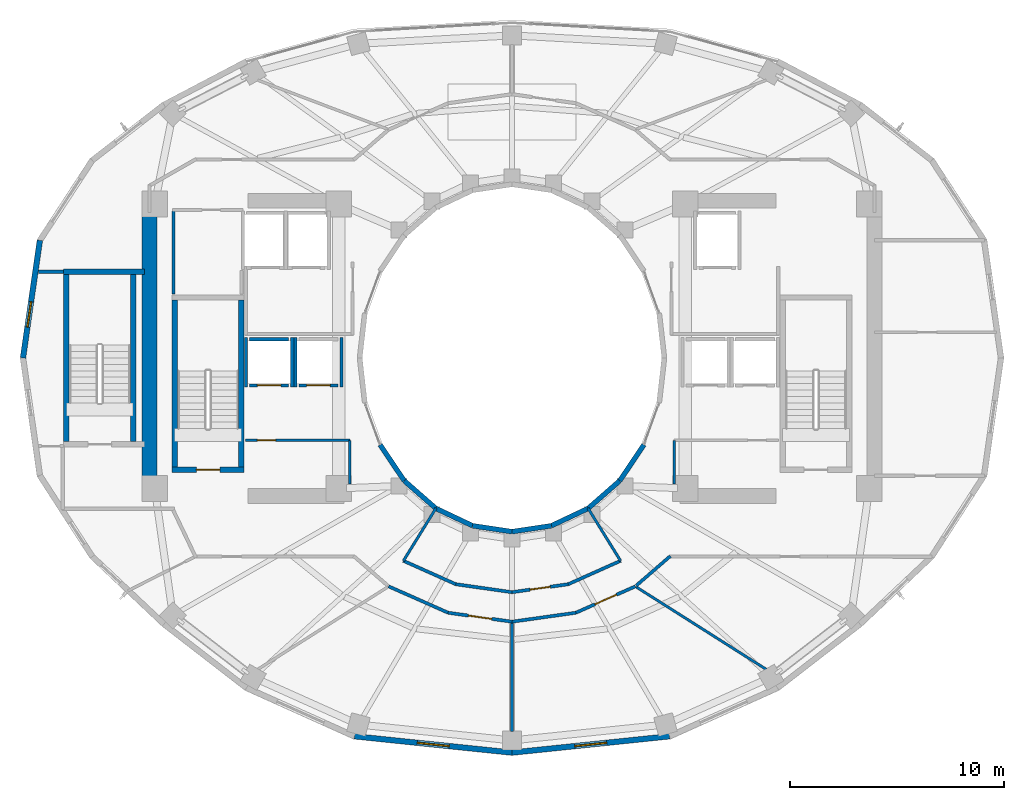
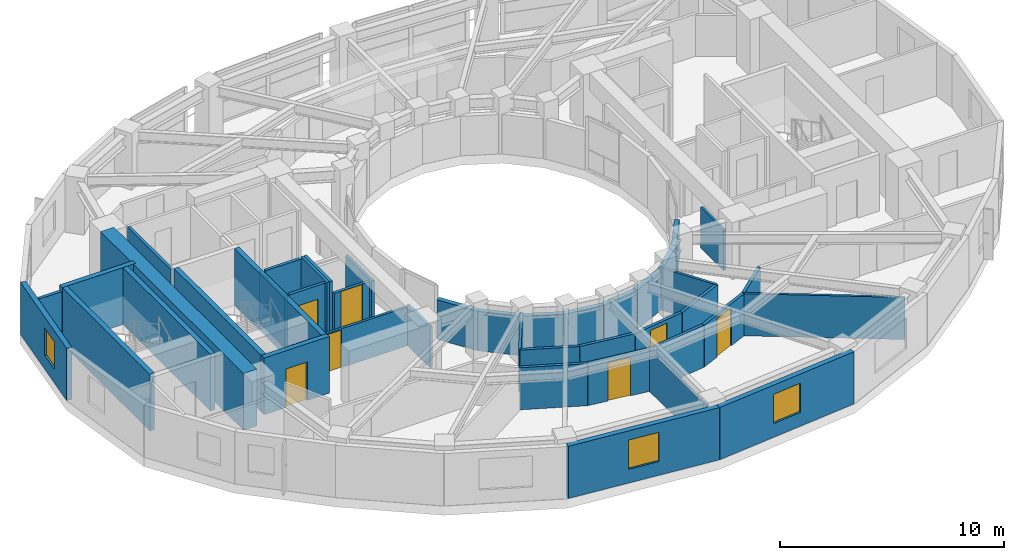
# One storey, part 14 of 20: 43 walls, 7 doors, 3 windows, 10 openings.
"""IFC4 building model written with IfcOpenShell, lengths in metres."""

from ifc_helpers import new_model, si_unit, direction, frame, frame_2d, origin, place, context, subcontext, project, spatial, rectangle, extrude, material, layer, layer_set, type_object, element, fill, save


model = new_model("IFC4")

# Units and contexts
model_context = context("Model", 3, precision=1e-05, world=origin(), true_north=direction((0.0, 1.0)))
body_context = subcontext(model_context, "Body", "Model", "MODEL_VIEW")
ifc_project = project(units=[si_unit("LENGTHUNIT", "METRE"), si_unit("AREAUNIT", "SQUARE_METRE"), si_unit("VOLUMEUNIT", "CUBIC_METRE"), si_unit("PLANEANGLEUNIT", "RADIAN"), si_unit("MASSUNIT", "GRAM", prefix="KILO")], contexts=[model_context])

# Site, building, storey
site_placement = place(None, origin())
site = spatial("IfcSite", under=ifc_project, at=site_placement, CompositionType="ELEMENT")
building_placement = place(site_placement, origin())
building = spatial("IfcBuilding", under=site, at=building_placement, Name="Solvane Sanctuary Tower", CompositionType="ELEMENT")
storey_placement = place(building_placement, frame((0.0, 0.0, 137.39990234375)))
storey = spatial("IfcBuildingStorey", under=building, at=storey_placement, Name="L41", CompositionType="ELEMENT", Elevation=137.39990234375)

# Walls
ifc_material_1 = material(Name="Concrete C60/75", Category="concrete")
ifc_layer_1 = layer(ifc_material_1, 0.699951171875, Name="Concrete C60/75")
ifc_layer_set_1 = layer_set([ifc_layer_1], Name="Concrete C60/75")
wall_type_1 = type_object("IfcWallType", Name="Wall W-CORE-700", PredefinedType="SHEAR", material=ifc_layer_set_1)
wall_1_placement = place(storey_placement, frame((15.050048828125, 17.050048828125, 0.0), z_axis=(0.0, 0.0, 1.0), x_axis=(0.0, 1.0, 0.0)))
element("IfcWall", 1, at=wall_1_placement, inside=storey, type_object=wall_type_1, Name="L41 Core Shear Wall WC-W", PredefinedType="SHEAR", context=body_context, shape_type="SweptSolid", body=[
    extrude(rectangle(XDim=12.800048828125, YDim=0.699951171875, at=frame_2d((6.39990234375, 0.0))), origin(), (0.0, 0.0, 1.0), 3.10009765625),
])
ifc_material_2 = material(Name="Acoustic Gypsum Partition Board")
ifc_layer_2 = layer(ifc_material_2, 0.14990234375, Name="Acoustic Gypsum Partition Board")
ifc_layer_set_2 = layer_set([ifc_layer_2], Name="Acoustic Gypsum Partition Board")
wall_type_2 = type_object("IfcWallType", Name="Wall W-CORR-150", PredefinedType="PARTITIONING", material=ifc_layer_set_2)
wall_2_placement = place(storey_placement, frame((9.869873046875, 27.030029296875, 0.0), z_axis=(0.0, 0.0, 1.0), x_axis=(1.0, 0.0, 0.0)))
element("IfcWall", 2, at=wall_2_placement, inside=storey, type_object=wall_type_2, Name="L41 NW Corner Closer 1", PredefinedType="PARTITIONING", context=body_context, shape_type="SweptSolid", body=[
    extrude(rectangle(XDim=1.170166015625, YDim=0.14990234375, at=frame_2d((0.5849609375, 0.0))), origin(), (0.0, 0.0, 1.0), 2.85498046875),
])
wall_3_placement = place(storey_placement, frame((37.806640625, 12.35791015625, 0.0), z_axis=(0.0, 0.0, 1.0), x_axis=(0.756055312247, 0.654507727092, 0.0)))
element("IfcWall", 3, at=wall_3_placement, inside=storey, type_object=wall_type_2, Name="L41 SE Corner Throat Wall", PredefinedType="PARTITIONING", context=body_context, shape_type="SweptSolid", body=[
    extrude(rectangle(XDim=2.11083984375, YDim=0.14990234375, at=frame_2d((1.055419921875, 0.0))), origin(), (0.0, 0.0, 1.0), 2.299072265625),
])
wall_4_placement = place(storey_placement, frame((26.9189453125, 13.520751953125, 0.0), z_axis=(0.0, 0.0, 1.0), x_axis=(0.912888568324, -0.408208845842, 0.0)))
element("IfcWall", 4, at=wall_4_placement, inside=storey, type_object=wall_type_2, Name="L41 Inner Light-Well Corridor Wall S1", PredefinedType="PARTITIONING", context=body_context, shape_type="SweptSolid", body=[
    extrude(rectangle(XDim=2.690185546875, YDim=0.14990234375, at=frame_2d((1.34521484375, 0.0))), origin(), (0.0, 0.0, 1.0), 2.299072265625),
])
wall_5_placement = place(storey_placement, frame((29.371337890625, 12.423583984375, 0.0), z_axis=(0.0, 0.0, 1.0), x_axis=(0.990066775667, -0.1405979364, 0.0)))
element("IfcWall", 5, at=wall_5_placement, inside=storey, type_object=wall_type_2, Name="L41 Inner Light-Well Corridor Wall S1", PredefinedType="PARTITIONING", context=body_context, shape_type="SweptSolid", body=[
    extrude(rectangle(XDim=2.65673828125, YDim=0.14990234375, at=frame_2d((1.328369140625, 0.0))), origin(), (0.0, 0.0, 1.0), 2.299072265625),
])

# Wall, opening, door
wall_6_placement = place(storey_placement, frame((31.998291015625, 12.050048828125, 0.0), z_axis=(0.0, 0.0, 1.0), x_axis=(0.990066775667, 0.1405979364, 0.0)))
wall_6 = element("IfcWall", 6, at=wall_6_placement, inside=storey, type_object=wall_type_2, Name="L41 Inner Light-Well Corridor Wall S1", PredefinedType="PARTITIONING", context=body_context, shape_type="SweptSolid", body=[
    extrude(rectangle(XDim=2.65673828125, YDim=0.14990234375, at=frame_2d((1.328369140625, 0.0))), origin(), (0.0, 0.0, 1.0), 2.299072265625),
])
opening_1_placement = place(wall_6_placement, frame((0.853515625, 0.0, 0.0)))
opening_1 = element("IfcOpeningElement", 7, at=opening_1_placement, cuts=wall_6, Name="Opening D-L41-17", PredefinedType="OPENING", context=body_context, shape_type="SweptSolid", body=[
    extrude(rectangle(XDim=0.949951171875, YDim=2.10009765625, at=frame_2d((0.47509765625, 1.050048828125))), frame((0.0, 0.0849609375, 0.0), z_axis=(0.0, -1.0, 0.0), x_axis=(1.0, 0.0, 0.0)), (0.0, 0.0, 1.0), 0.169921875),
])
ifc_material_3 = material(Name="Engineered Tropical Hardwood", Category="wood")
door_type_1 = type_object("IfcDoorType", Name="Door D-ROOM-950", OperationType="NOTDEFINED", PredefinedType="DOOR", material=ifc_material_3)
door_1_placement = place(opening_1_placement, origin())
door_1 = element("IfcDoor", 8, at=door_1_placement, inside=storey, type_object=door_type_1, Name="L41 Inner Light-Well Salon Door S1", OperationType="SINGLE_SWING_LEFT", OverallHeight=2.10009765625, OverallWidth=0.949951171875, PredefinedType="DOOR", context=body_context, shape_type="SweptSolid", body=[
    extrude(rectangle(XDim=0.949951171875, YDim=2.10009765625, at=frame_2d((0.47509765625, 1.050048828125))), frame((0.0, 0.02490234375, 0.0), z_axis=(0.0, -1.0, 0.0), x_axis=(1.0, 0.0, 0.0)), (0.0, 0.0, 1.0), 0.050048828125),
])
fill(opening_1, door_1)

# Walls
wall_7_placement = place(storey_placement, frame((34.625244140625, 12.422607421875, 0.0), z_axis=(0.0, 0.0, 1.0), x_axis=(0.912888568324, 0.408208845842, 0.0)))
element("IfcWall", 9, at=wall_7_placement, inside=storey, type_object=wall_type_2, Name="L41 Inner Light-Well Corridor Wall S1", PredefinedType="PARTITIONING", context=body_context, shape_type="SweptSolid", body=[
    extrude(rectangle(XDim=2.690185546875, YDim=0.14990234375, at=frame_2d((1.34521484375, 0.0))), origin(), (0.0, 0.0, 1.0), 2.299072265625),
])
wall_8_placement = place(storey_placement, frame((26.22802734375, 12.326171875, 0.0), z_axis=(0.0, 0.0, 1.0), x_axis=(0.914216890927, -0.405225216815, 0.0)))
element("IfcWall", 10, at=wall_8_placement, inside=storey, type_object=wall_type_2, Name="L41 Sky Promenade Corridor Wall S1", PredefinedType="PARTITIONING", context=body_context, shape_type="SweptSolid", body=[
    extrude(rectangle(XDim=3.051513671875, YDim=0.14990234375, at=frame_2d((1.52587890625, 0.0))), origin(), (0.0, 0.0, 1.0), 2.299072265625),
])

# Wall, opening, door
wall_9_placement = place(storey_placement, frame((29.013916015625, 11.0908203125, 0.0), z_axis=(0.0, 0.0, 1.0), x_axis=(0.990263536759, -0.139205343882, 0.0)))
wall_9 = element("IfcWall", 11, at=wall_9_placement, inside=storey, type_object=wall_type_2, Name="L41 Sky Promenade Corridor Wall S1", PredefinedType="PARTITIONING", context=body_context, shape_type="SweptSolid", body=[
    extrude(rectangle(XDim=3.023681640625, YDim=0.14990234375, at=frame_2d((1.51171875, 0.0))), origin(), (0.0, 0.0, 1.0), 2.299072265625),
])
opening_2_placement = place(wall_9_placement, frame((0.9619140625, 0.0, 0.0)))
opening_2 = element("IfcOpeningElement", 12, at=opening_2_placement, cuts=wall_9, Name="Opening D-L41-20", PredefinedType="OPENING", context=body_context, shape_type="SweptSolid", body=[
    extrude(rectangle(XDim=1.10009765625, YDim=2.10009765625, at=frame_2d((0.550048828125, 1.050048828125))), frame((0.0, 0.0849609375, 0.0), z_axis=(0.0, -1.0, 0.0), x_axis=(1.0, 0.0, 0.0)), (0.0, 0.0, 1.0), 0.169921875),
])
ifc_material_4 = material(Name="Architectural Stainless Steel 316", Category="steel")
door_type_2 = type_object("IfcDoorType", Name="Door D-FFL", OperationType="NOTDEFINED", PredefinedType="DOOR", material=ifc_material_4)
door_2_placement = place(opening_2_placement, origin())
door_2 = element("IfcDoor", 13, at=door_2_placement, inside=storey, type_object=door_type_2, Name="L41 Sky Hall Entrance Door S1", OperationType="SINGLE_SWING_RIGHT", OverallHeight=2.10009765625, OverallWidth=1.10009765625, PredefinedType="DOOR", context=body_context, shape_type="SweptSolid", body=[
    extrude(rectangle(XDim=1.10009765625, YDim=2.10009765625, at=frame_2d((0.550048828125, 1.050048828125))), frame((0.0, 0.02490234375, 0.0), z_axis=(0.0, -1.0, 0.0), x_axis=(1.0, 0.0, 0.0)), (0.0, 0.0, 1.0), 0.050048828125),
])
fill(opening_2, door_2)

# Wall
wall_10_placement = place(storey_placement, frame((31.991943359375, 10.669921875, 0.0), z_axis=(0.0, 0.0, 1.0), x_axis=(0.990263536759, 0.139205343882, 0.0)))
element("IfcWall", 14, at=wall_10_placement, inside=storey, type_object=wall_type_2, Name="L41 Sky Promenade Corridor Wall S2", PredefinedType="PARTITIONING", context=body_context, shape_type="SweptSolid", body=[
    extrude(rectangle(XDim=3.023681640625, YDim=0.14990234375, at=frame_2d((1.51171875, 0.0))), origin(), (0.0, 0.0, 1.0), 2.299072265625),
])

# Wall, opening, door
wall_11_placement = place(storey_placement, frame((34.982177734375, 11.089599609375, 0.0), z_axis=(0.0, 0.0, 1.0), x_axis=(0.914216890927, 0.405225216815, 0.0)))
wall_11 = element("IfcWall", 15, at=wall_11_placement, inside=storey, type_object=wall_type_2, Name="L41 Sky Promenade Corridor Wall S2", PredefinedType="PARTITIONING", context=body_context, shape_type="SweptSolid", body=[
    extrude(rectangle(XDim=3.051513671875, YDim=0.14990234375, at=frame_2d((1.52587890625, 0.0))), origin(), (0.0, 0.0, 1.0), 2.299072265625),
])
opening_3_placement = place(wall_11_placement, frame((0.975830078125, 0.0, 0.0)))
opening_3 = element("IfcOpeningElement", 16, at=opening_3_placement, cuts=wall_11, Name="Opening D-L41-21", PredefinedType="OPENING", context=body_context, shape_type="SweptSolid", body=[
    extrude(rectangle(XDim=1.10009765625, YDim=2.10009765625, at=frame_2d((0.550048828125, 1.050048828125))), frame((0.0, 0.0849609375, 0.0), z_axis=(0.0, -1.0, 0.0), x_axis=(1.0, 0.0, 0.0)), (0.0, 0.0, 1.0), 0.169921875),
])
door_3_placement = place(opening_3_placement, origin())
door_3 = element("IfcDoor", 17, at=door_3_placement, inside=storey, type_object=door_type_2, Name="L41 Sky Hall Entrance Door S2", OperationType="SINGLE_SWING_LEFT", OverallHeight=2.10009765625, OverallWidth=1.10009765625, PredefinedType="DOOR", context=body_context, shape_type="SweptSolid", body=[
    extrude(rectangle(XDim=1.10009765625, YDim=2.10009765625, at=frame_2d((0.550048828125, 1.050048828125))), frame((0.0, 0.02490234375, 0.0), z_axis=(0.0, -1.0, 0.0), x_axis=(1.0, 0.0, 0.0)), (0.0, 0.0, 1.0), 0.050048828125),
])
fill(opening_3, door_3)

# Wall, opening, window
ifc_material_5 = material(Name="Precast concrete C40/50", Category="concrete")
ifc_layer_3 = layer(ifc_material_5, 0.260009765625, Name="Precast concrete C40/50")
ifc_layer_set_3 = layer_set([ifc_layer_3], Name="Precast concrete C40/50")
wall_type_3 = type_object("IfcWallType", Name="Wall W-EXT-250", PredefinedType="STANDARD", material=ifc_layer_set_3)
wall_12_placement = place(storey_placement, frame((9.9296875, 28.49658203125, 0.0), z_axis=(0.0, 0.0, 1.0), x_axis=(-0.142227632286, -0.989833976288, 0.0)))
wall_12 = element("IfcWall", 18, at=wall_12_placement, inside=storey, type_object=wall_type_3, Name="L41 Ceramic-Printed Facade Wall 11", PredefinedType="STANDARD", context=body_context, shape_type="SweptSolid", body=[
    extrude(rectangle(XDim=5.552978515625, YDim=0.260009765625, at=frame_2d((2.7763671875, 0.0))), origin(), (0.0, 0.0, 1.0), 2.85009765625),
])
opening_4_placement = place(wall_12_placement, frame((2.892333984375, 0.0, 0.75)))
opening_4 = element("IfcOpeningElement", 19, at=opening_4_placement, cuts=wall_12, Name="Opening WN-OPER-1200", PredefinedType="OPENING", context=body_context, shape_type="SweptSolid", body=[
    extrude(rectangle(XDim=1.199951171875, YDim=1.5, at=frame_2d((0.60009765625, 0.75))), frame((0.0, 0.139892578125, 0.0), z_axis=(0.0, -1.0, 0.0), x_axis=(1.0, 0.0, 0.0)), (0.0, 0.0, 1.0), 0.280029296875),
])
ifc_material_6 = material(Name="Dark Ceramic-Fritted Low-E Glass", Category="glass")
window_type_1 = type_object("IfcWindowType", Name="Window WN-OPER-1200", PartitioningType="SINGLE_PANEL", PredefinedType="WINDOW", material=ifc_material_6)
window_1_placement = place(opening_4_placement, origin())
window_1 = element("IfcWindow", 20, at=window_1_placement, inside=storey, type_object=window_type_1, Name="L41 Operable Facade Window 11", OverallHeight=1.5, OverallWidth=1.199951171875, PartitioningType="SINGLE_PANEL", PredefinedType="WINDOW", context=body_context, shape_type="SweptSolid", body=[
    extrude(rectangle(XDim=1.199951171875, YDim=1.5, at=frame_2d((0.60009765625, 0.75))), frame((0.0, 0.030029296875, 0.0), z_axis=(0.0, -1.0, 0.0), x_axis=(1.0, 0.0, 0.0)), (0.0, 0.0, 1.0), 0.06005859375),
])
fill(opening_4, window_1)

wall_13_placement = place(storey_placement, frame((24.634765625, 5.3154296875, 0.0), z_axis=(0.0, 0.0, 1.0), x_axis=(0.994664178965, -0.10316574569, 0.0)))
wall_13 = element("IfcWall", 21, at=wall_13_placement, inside=storey, type_object=wall_type_3, Name="L41 Ceramic-Printed Facade Wall 17", PredefinedType="STANDARD", context=body_context, shape_type="SweptSolid", body=[
    extrude(rectangle(XDim=7.40478515625, YDim=0.260009765625, at=frame_2d((3.702392578125, 0.0))), origin(), (0.0, 0.0, 1.0), 2.85009765625),
])
opening_5_placement = place(wall_13_placement, frame((2.952392578125, 0.0, 0.75)))
opening_5 = element("IfcOpeningElement", 22, at=opening_5_placement, cuts=wall_13, Name="Opening WN-OPER-1500", PredefinedType="OPENING", context=body_context, shape_type="SweptSolid", body=[
    extrude(rectangle(XDim=1.5, YDim=1.60009765625, at=frame_2d((0.75, 0.800048828125))), frame((0.0, 0.139892578125, 0.0), z_axis=(0.0, -1.0, 0.0), x_axis=(1.0, 0.0, 0.0)), (0.0, 0.0, 1.0), 0.280029296875),
])
window_type_2 = type_object("IfcWindowType", Name="Window WN-OPER-1500", PartitioningType="SINGLE_PANEL", PredefinedType="WINDOW", material=ifc_material_6)
window_2_placement = place(opening_5_placement, origin())
window_2 = element("IfcWindow", 23, at=window_2_placement, inside=storey, type_object=window_type_2, Name="L41 Operable Facade Window 17", OverallHeight=1.60009765625, OverallWidth=1.5, PartitioningType="SINGLE_PANEL", PredefinedType="WINDOW", context=body_context, shape_type="SweptSolid", body=[
    extrude(rectangle(XDim=1.5, YDim=1.60009765625, at=frame_2d((0.75, 0.800048828125))), frame((0.0, 0.030029296875, 0.0), z_axis=(0.0, -1.0, 0.0), x_axis=(1.0, 0.0, 0.0)), (0.0, 0.0, 1.0), 0.06005859375),
])
fill(opening_5, window_2)

wall_14_placement = place(storey_placement, frame((32.0, 4.551513671875, 0.0), z_axis=(0.0, 0.0, 1.0), x_axis=(0.994664178965, 0.10316574569, 0.0)))
wall_14 = element("IfcWall", 24, at=wall_14_placement, inside=storey, type_object=wall_type_3, Name="L41 Ceramic-Printed Facade Wall 18", PredefinedType="STANDARD", context=body_context, shape_type="SweptSolid", body=[
    extrude(rectangle(XDim=7.40478515625, YDim=0.260009765625, at=frame_2d((3.702392578125, 0.0))), origin(), (0.0, 0.0, 1.0), 2.85009765625),
])
opening_6_placement = place(wall_14_placement, frame((2.952392578125, 0.0, 0.75)))
opening_6 = element("IfcOpeningElement", 25, at=opening_6_placement, cuts=wall_14, Name="Opening WN-OPER-1500", PredefinedType="OPENING", context=body_context, shape_type="SweptSolid", body=[
    extrude(rectangle(XDim=1.5, YDim=1.60009765625, at=frame_2d((0.75, 0.800048828125))), frame((0.0, 0.139892578125, 0.0), z_axis=(0.0, -1.0, 0.0), x_axis=(1.0, 0.0, 0.0)), (0.0, 0.0, 1.0), 0.280029296875),
])
window_3_placement = place(opening_6_placement, origin())
window_3 = element("IfcWindow", 26, at=window_3_placement, inside=storey, type_object=window_type_2, Name="L41 Operable Facade Window 18", OverallHeight=1.60009765625, OverallWidth=1.5, PartitioningType="SINGLE_PANEL", PredefinedType="WINDOW", context=body_context, shape_type="SweptSolid", body=[
    extrude(rectangle(XDim=1.5, YDim=1.60009765625, at=frame_2d((0.75, 0.800048828125))), frame((0.0, 0.030029296875, 0.0), z_axis=(0.0, -1.0, 0.0), x_axis=(1.0, 0.0, 0.0)), (0.0, 0.0, 1.0), 0.06005859375),
])
fill(opening_6, window_3)

# Walls
ifc_layer_4 = layer(ifc_material_5, 0.22998046875, Name="Precast concrete C40/50")
ifc_layer_set_4 = layer_set([ifc_layer_4], Name="Precast concrete C40/50")
wall_type_4 = type_object("IfcWallType", Name="Wall W-EXT-SP220", PredefinedType="STANDARD", material=ifc_layer_set_4)
wall_15_placement = place(storey_placement, frame((25.833984375, 18.93994140625, 0.0), z_axis=(0.0, 0.0, 1.0), x_axis=(0.558197800898, -0.829707909492, 0.0)))
element("IfcWall", 27, at=wall_15_placement, inside=storey, type_object=wall_type_4, Name="L41 Central Light-Well Wall 14", PredefinedType="STANDARD", context=body_context, shape_type="SweptSolid", body=[
    extrude(rectangle(XDim=2.02685546875, YDim=0.22998046875, at=frame_2d((1.013427734375, 0.0))), origin(), (0.0, 0.0, 1.0), 2.16015625),
])
wall_16_placement = place(storey_placement, frame((26.96533203125, 17.25830078125, 0.0), z_axis=(0.0, 0.0, 1.0), x_axis=(0.752576694707, -0.658504607869, 0.0)))
element("IfcWall", 28, at=wall_16_placement, inside=storey, type_object=wall_type_4, Name="L41 Central Light-Well Wall 15", PredefinedType="STANDARD", context=body_context, shape_type="SweptSolid", body=[
    extrude(rectangle(XDim=1.95947265625, YDim=0.22998046875, at=frame_2d((0.979736328125, 0.0))), origin(), (0.0, 0.0, 1.0), 2.16015625),
])
wall_17_placement = place(storey_placement, frame((28.43994140625, 15.968017578125, 0.0), z_axis=(0.0, 0.0, 1.0), x_axis=(0.904179699603, -0.427152280606, 0.0)))
element("IfcWall", 29, at=wall_17_placement, inside=storey, type_object=wall_type_4, Name="L41 Central Light-Well Wall 16", PredefinedType="STANDARD", context=body_context, shape_type="SweptSolid", body=[
    extrude(rectangle(XDim=1.899169921875, YDim=0.22998046875, at=frame_2d((0.94970703125, 0.0))), origin(), (0.0, 0.0, 1.0), 2.16015625),
])
for number, where, z_axis, x_axis, name in (
    (30, (30.1572265625, 15.15673828125, 0.0), (0.0, 0.0, 1.0), (0.988901730308, -0.148571086668, 0.0), "L41 Central Light-Well Wall 17"),
    (31, (32.0, 14.8798828125, 0.0), (0.0, 0.0, 1.0), (0.988901730308, 0.148571086668, 0.0), "L41 Central Light-Well Wall 18"),
):
    element("IfcWall", number, at=place(storey_placement, frame(where, z_axis=z_axis, x_axis=x_axis)), inside=storey, type_object=wall_type_4, Name=name, PredefinedType="STANDARD", context=body_context, shape_type="SweptSolid", body=[
        extrude(rectangle(XDim=1.863525390625, YDim=0.22998046875, at=frame_2d((0.931640625, 0.0))), origin(), (0.0, 0.0, 1.0), 2.16015625),
    ])
wall_18_placement = place(storey_placement, frame((33.8427734375, 15.15673828125, 0.0), z_axis=(0.0, 0.0, 1.0), x_axis=(0.904179699603, 0.427152280606, 0.0)))
element("IfcWall", 32, at=wall_18_placement, inside=storey, type_object=wall_type_4, Name="L41 Central Light-Well Wall 19", PredefinedType="STANDARD", context=body_context, shape_type="SweptSolid", body=[
    extrude(rectangle(XDim=1.899169921875, YDim=0.22998046875, at=frame_2d((0.94970703125, 0.0))), origin(), (0.0, 0.0, 1.0), 2.16015625),
])
wall_19_placement = place(storey_placement, frame((35.56005859375, 15.968017578125, 0.0), z_axis=(0.0, 0.0, 1.0), x_axis=(0.752576694707, 0.658504607869, 0.0)))
element("IfcWall", 33, at=wall_19_placement, inside=storey, type_object=wall_type_4, Name="L41 Central Light-Well Wall 20", PredefinedType="STANDARD", context=body_context, shape_type="SweptSolid", body=[
    extrude(rectangle(XDim=1.95947265625, YDim=0.22998046875, at=frame_2d((0.979736328125, 0.0))), origin(), (0.0, 0.0, 1.0), 2.16015625),
])
wall_20_placement = place(storey_placement, frame((37.03466796875, 17.25830078125, 0.0), z_axis=(0.0, 0.0, 1.0), x_axis=(0.558197800898, 0.829707909492, 0.0)))
element("IfcWall", 34, at=wall_20_placement, inside=storey, type_object=wall_type_4, Name="L41 Central Light-Well Wall 21", PredefinedType="STANDARD", context=body_context, shape_type="SweptSolid", body=[
    extrude(rectangle(XDim=2.02685546875, YDim=0.22998046875, at=frame_2d((1.013427734375, 0.0))), origin(), (0.0, 0.0, 1.0), 2.16015625),
])
ifc_layer_5 = layer(ifc_material_2, 0.1201171875, Name="Acoustic Gypsum Partition Board")
ifc_layer_set_5 = layer_set([ifc_layer_5], Name="Acoustic Gypsum Partition Board")
wall_type_5 = type_object("IfcWallType", Name="Wall W-MOV-100", PredefinedType="MOVABLE", material=ifc_layer_set_5)
wall_21_placement = place(storey_placement, frame((32.0, 10.614990234375, 0.0), z_axis=(0.0, 0.0, 1.0), x_axis=(0.0, -1.0, 0.0)))
element("IfcWall", 35, at=wall_21_placement, inside=storey, type_object=wall_type_5, Name="L41 Sky Hall Radial Partition 270", PredefinedType="MOVABLE", context=body_context, shape_type="SweptSolid", body=[
    extrude(rectangle(XDim=5.06494140625, YDim=0.1201171875, at=frame_2d((2.532470703125, 0.0))), origin(), (0.0, 0.0, 1.0), 2.299072265625),
])
wall_22_placement = place(storey_placement, frame((37.8115234375, 12.29248046875, 0.0), z_axis=(0.0, 0.0, 1.0), x_axis=(0.844640430122, -0.535334048799, 0.0)))
element("IfcWall", 36, at=wall_22_placement, inside=storey, type_object=wall_type_5, Name="L41 Sky Hall Radial Partition 300", PredefinedType="MOVABLE", context=body_context, shape_type="SweptSolid", body=[
    extrude(rectangle(XDim=7.188232421875, YDim=0.1201171875, at=frame_2d((3.59423828125, 0.0))), origin(), (0.0, 0.0, 1.0), 2.299072265625),
])

# Wall, opening, door
ifc_layer_6 = layer(ifc_material_2, 0.125, Name="Acoustic Gypsum Partition Board")
ifc_layer_set_6 = layer_set([ifc_layer_6], Name="Acoustic Gypsum Partition Board")
wall_type_6 = type_object("IfcWallType", Name="Wall W-PART-125", PredefinedType="PARTITIONING", material=ifc_layer_set_6)
wall_23_placement = place(storey_placement, frame((19.550048828125, 19.159912109375, 0.0), z_axis=(0.0, 0.0, 1.0), x_axis=(1.0, 0.0, 0.0)))
wall_23 = element("IfcWall", 37, at=wall_23_placement, inside=storey, type_object=wall_type_6, Name="L41 Reclaimed Room Partition PLW", PredefinedType="PARTITIONING", context=body_context, shape_type="SweptSolid", body=[
    extrude(rectangle(XDim=4.869873046875, YDim=0.125, at=frame_2d((2.43505859375, 0.0))), origin(), (0.0, 0.0, 1.0), 2.1201171875),
])
opening_7_placement = place(wall_23_placement, frame((0.550048828125, 0.0, 0.0)))
opening_7 = element("IfcOpeningElement", 38, at=opening_7_placement, cuts=wall_23, Name="Opening D-L41-06", PredefinedType="OPENING", context=body_context, shape_type="SweptSolid", body=[
    extrude(rectangle(XDim=0.85009765625, YDim=2.050048828125, at=frame_2d((0.425048828125, 1.02490234375))), frame((0.0, 0.072509765625, 0.0), z_axis=(0.0, -1.0, 0.0), x_axis=(1.0, 0.0, 0.0)), (0.0, 0.0, 1.0), 0.14501953125),
])
door_type_3 = type_object("IfcDoorType", Name="Door D-RISER", OperationType="NOTDEFINED", PredefinedType="DOOR", material=ifc_material_4)
door_4_placement = place(opening_7_placement, origin())
door_4 = element("IfcDoor", 39, at=door_4_placement, inside=storey, type_object=door_type_3, Name="L41 Reclaimed Room Door PLW-1", OperationType="SINGLE_SWING_RIGHT", OverallHeight=2.050048828125, OverallWidth=0.85009765625, PredefinedType="DOOR", context=body_context, shape_type="SweptSolid", body=[
    extrude(rectangle(XDim=0.85009765625, YDim=2.050048828125, at=frame_2d((0.425048828125, 1.02490234375))), frame((0.0, 0.02490234375, 0.0), z_axis=(0.0, -1.0, 0.0), x_axis=(1.0, 0.0, 0.0)), (0.0, 0.0, 1.0), 0.050048828125),
])
fill(opening_7, door_4)

# Walls
for number, where, z_axis, x_axis, name in (
    (40, (24.419921875, 17.10009765625, 0.0), (0.0, 0.0, 1.0), (0.0, 1.0, 0.0), "L41 Reclaimed Room Closer Wall PLW-1"),
    (41, (39.580078125, 17.10009765625, 0.0), (0.0, 0.0, 1.0), (0.0, 1.0, 0.0), "L41 Reclaimed Room Closer Wall PLE-1"),
):
    element("IfcWall", number, at=place(storey_placement, frame(where, z_axis=z_axis, x_axis=x_axis)), inside=storey, type_object=wall_type_6, Name=name, PredefinedType="PARTITIONING", context=body_context, shape_type="SweptSolid", body=[
        extrude(rectangle(XDim=2.039794921875, YDim=0.125, at=frame_2d((1.02001953125, 0.0))), origin(), (0.0, 0.0, 1.0), 2.232177734375),
    ])
for number, where, z_axis, x_axis, name in (
    (42, (28.449951171875, 15.985107421875, 0.0), (0.0, 0.0, 1.0), (-0.525627246902, -0.850714991824, 0.0), "L41 Inner Light-Well Radial Wall 240"),
    (43, (35.550048828125, 15.985107421875, 0.0), (0.0, 0.0, 1.0), (0.525627246902, -0.850714991824, 0.0), "L41 Inner Light-Well Radial Wall 300"),
):
    element("IfcWall", number, at=place(storey_placement, frame(where, z_axis=z_axis, x_axis=x_axis)), inside=storey, type_object=wall_type_6, Name=name, PredefinedType="PARTITIONING", context=body_context, shape_type="SweptSolid", body=[
        extrude(rectangle(XDim=2.901123046875, YDim=0.125, at=frame_2d((1.45068359375, 0.0))), origin(), (0.0, 0.0, 1.0), 2.299072265625),
    ])

# Wall, opening, door
ifc_material_7 = material(Name="Concrete C50/60", Category="concrete")
ifc_layer_7 = layer(ifc_material_7, 0.14990234375, Name="Concrete C50/60")
ifc_layer_set_7 = layer_set([ifc_layer_7], Name="Concrete C50/60")
wall_type_7 = type_object("IfcWallType", Name="Wall W-SHAFT-150", PredefinedType="SOLIDWALL", material=ifc_layer_set_7)
wall_24_placement = place(storey_placement, frame((19.739990234375, 21.719970703125, 0.0), z_axis=(0.0, 0.0, 1.0), x_axis=(1.0, 0.0, 0.0)))
wall_24 = element("IfcWall", 44, at=wall_24_placement, inside=storey, type_object=wall_type_7, Name="L41 PM-1 Lift Shaft Wall F", PredefinedType="SOLIDWALL", context=body_context, shape_type="SweptSolid", body=[
    extrude(rectangle(XDim=1.820068359375, YDim=0.14990234375, at=frame_2d((0.91015625, 0.0))), origin(), (0.0, 0.0, 1.0), 2.85498046875),
])
opening_8_placement = place(wall_24_placement, frame((0.360107421875, 0.0, 0.0)))
opening_8 = element("IfcOpeningElement", 45, at=opening_8_placement, cuts=wall_24, Name="Opening LD-L41-01", PredefinedType="OPENING", context=body_context, shape_type="SweptSolid", body=[
    extrude(rectangle(XDim=1.10009765625, YDim=2.10009765625, at=frame_2d((0.550048828125, 1.050048828125))), frame((0.0, 0.0849609375, 0.0), z_axis=(0.0, -1.0, 0.0), x_axis=(1.0, 0.0, 0.0)), (0.0, 0.0, 1.0), 0.169921875),
])
door_type_4 = type_object("IfcDoorType", Name="Door LD-PASS-1100", OperationType="NOTDEFINED", PredefinedType="DOOR", material=ifc_material_4)
door_5_placement = place(opening_8_placement, origin())
door_5 = element("IfcDoor", 46, at=door_5_placement, inside=storey, type_object=door_type_4, Name="L41 PM-1 Lift Landing Door", OperationType="DOUBLE_DOOR_SLIDING", OverallHeight=2.10009765625, OverallWidth=1.10009765625, PredefinedType="DOOR", context=body_context, shape_type="SweptSolid", body=[
    extrude(rectangle(XDim=1.10009765625, YDim=2.10009765625, at=frame_2d((0.550048828125, 1.050048828125))), frame((0.0, 0.02490234375, 0.0), z_axis=(0.0, -1.0, 0.0), x_axis=(1.0, 0.0, 0.0)), (0.0, 0.0, 1.0), 0.050048828125),
])
fill(opening_8, door_5)

# Walls
wall_25_placement = place(storey_placement, frame((19.739990234375, 23.8798828125, 0.0), z_axis=(0.0, 0.0, 1.0), x_axis=(1.0, 0.0, 0.0)))
element("IfcWall", 47, at=wall_25_placement, inside=storey, type_object=wall_type_7, Name="L41 PM-1 Lift Shaft Wall B", PredefinedType="SOLIDWALL", context=body_context, shape_type="SweptSolid", body=[
    extrude(rectangle(XDim=1.820068359375, YDim=0.14990234375, at=frame_2d((0.91015625, 0.0))), origin(), (0.0, 0.0, 1.0), 2.85498046875),
])
for number, where, z_axis, x_axis, name in (
    (48, (19.570068359375, 21.639892578125, 0.0), (0.0, 0.0, 1.0), (0.0, 1.0, 0.0), "L41 PM-1 Lift Shaft Wall S1"),
    (49, (21.72998046875, 21.639892578125, 0.0), (0.0, 0.0, 1.0), (0.0, 1.0, 0.0), "L41 PM-1 Lift Shaft Wall S2"),
):
    element("IfcWall", number, at=place(storey_placement, frame(where, z_axis=z_axis, x_axis=x_axis)), inside=storey, type_object=wall_type_7, Name=name, PredefinedType="SOLIDWALL", context=body_context, shape_type="SweptSolid", body=[
        extrude(rectangle(XDim=2.320068359375, YDim=0.14990234375, at=frame_2d((1.16015625, 0.0))), origin(), (0.0, 0.0, 1.0), 2.85498046875),
    ])

# Wall, opening, door
wall_26_placement = place(storey_placement, frame((22.0400390625, 21.719970703125, 0.0), z_axis=(0.0, 0.0, 1.0), x_axis=(1.0, 0.0, 0.0)))
wall_26 = element("IfcWall", 50, at=wall_26_placement, inside=storey, type_object=wall_type_7, Name="L41 PH-1 Lift Shaft Wall F", PredefinedType="SOLIDWALL", context=body_context, shape_type="SweptSolid", body=[
    extrude(rectangle(XDim=1.820068359375, YDim=0.14990234375, at=frame_2d((0.91015625, 0.0))), origin(), (0.0, 0.0, 1.0), 2.1201171875),
])
opening_9_placement = place(wall_26_placement, frame((0.360107421875, 0.0, 0.0)))
opening_9 = element("IfcOpeningElement", 51, at=opening_9_placement, cuts=wall_26, Name="Opening LD-L41-03", PredefinedType="OPENING", context=body_context, shape_type="SweptSolid", body=[
    extrude(rectangle(XDim=1.10009765625, YDim=2.10009765625, at=frame_2d((0.550048828125, 1.050048828125))), frame((0.0, 0.0849609375, 0.0), z_axis=(0.0, -1.0, 0.0), x_axis=(1.0, 0.0, 0.0)), (0.0, 0.0, 1.0), 0.169921875),
])
door_6_placement = place(opening_9_placement, origin())
door_6 = element("IfcDoor", 52, at=door_6_placement, inside=storey, type_object=door_type_4, Name="L41 PH-1 Lift Landing Door", OperationType="DOUBLE_DOOR_SLIDING", OverallHeight=2.10009765625, OverallWidth=1.10009765625, PredefinedType="DOOR", context=body_context, shape_type="SweptSolid", body=[
    extrude(rectangle(XDim=1.10009765625, YDim=2.10009765625, at=frame_2d((0.550048828125, 1.050048828125))), frame((0.0, 0.02490234375, 0.0), z_axis=(0.0, -1.0, 0.0), x_axis=(1.0, 0.0, 0.0)), (0.0, 0.0, 1.0), 0.050048828125),
])
fill(opening_9, door_6)

# Walls
wall_27_placement = place(storey_placement, frame((21.8701171875, 21.639892578125, 0.0), z_axis=(0.0, 0.0, 1.0), x_axis=(0.0, 1.0, 0.0)))
element("IfcWall", 53, at=wall_27_placement, inside=storey, type_object=wall_type_7, Name="L41 PH-1 Lift Shaft Wall S1", PredefinedType="SOLIDWALL", context=body_context, shape_type="SweptSolid", body=[
    extrude(rectangle(XDim=2.320068359375, YDim=0.14990234375, at=frame_2d((1.16015625, 0.0))), origin(), (0.0, 0.0, 1.0), 2.85498046875),
])
wall_28_placement = place(storey_placement, frame((24.030029296875, 21.639892578125, 0.0), z_axis=(0.0, 0.0, 1.0), x_axis=(0.0, 1.0, 0.0)))
element("IfcWall", 54, at=wall_28_placement, inside=storey, type_object=wall_type_7, Name="L41 PH-1 Lift Shaft Wall S2", PredefinedType="SOLIDWALL", context=body_context, shape_type="SweptSolid", body=[
    extrude(rectangle(XDim=2.320068359375, YDim=0.14990234375, at=frame_2d((1.16015625, 0.0))), origin(), (0.0, 0.0, 1.0), 2.1201171875),
])

# Wall, opening, door
ifc_layer_8 = layer(ifc_material_7, 0.25, Name="Concrete C50/60")
ifc_layer_set_8 = layer_set([ifc_layer_8], Name="Concrete C50/60")
wall_type_8 = type_object("IfcWallType", Name="Wall W-SHAFT-250", PredefinedType="SOLIDWALL", material=ifc_layer_set_8)
wall_29_placement = place(storey_placement, frame((16.10498046875, 17.77001953125, 0.0), z_axis=(0.0, 0.0, 1.0), x_axis=(1.0, 0.0, 0.0)))
wall_29 = element("IfcWall", 55, at=wall_29_placement, inside=storey, type_object=wall_type_8, Name="L41 ST-1 Load-Bearing Shaft Wall S", PredefinedType="SOLIDWALL", context=body_context, shape_type="SweptSolid", body=[
    extrude(rectangle(XDim=3.3701171875, YDim=0.25, at=frame_2d((1.68505859375, 0.0))), origin(), (0.0, 0.0, 1.0), 3.10009765625),
])
opening_10_placement = place(wall_29_placement, frame((1.135009765625, 0.0, 0.0)))
opening_10 = element("IfcOpeningElement", 56, at=opening_10_placement, cuts=wall_29, Name="Opening D-L41-01", PredefinedType="OPENING", context=body_context, shape_type="SweptSolid", body=[
    extrude(rectangle(XDim=1.10009765625, YDim=2.10009765625, at=frame_2d((0.550048828125, 1.050048828125))), frame((0.0, 0.135009765625, 0.0), z_axis=(0.0, -1.0, 0.0), x_axis=(1.0, 0.0, 0.0)), (0.0, 0.0, 1.0), 0.27001953125),
])
door_type_5 = type_object("IfcDoorType", Name="Door D-STAIR", OperationType="NOTDEFINED", PredefinedType="DOOR", material=ifc_material_4)
door_7_placement = place(opening_10_placement, origin())
door_7 = element("IfcDoor", 57, at=door_7_placement, inside=storey, type_object=door_type_5, Name="L41 ST-1 Exit Stair Fire Door", OperationType="SINGLE_SWING_LEFT", OverallHeight=2.10009765625, OverallWidth=1.10009765625, PredefinedType="DOOR", context=body_context, shape_type="SweptSolid", body=[
    extrude(rectangle(XDim=1.10009765625, YDim=2.10009765625, at=frame_2d((0.550048828125, 1.050048828125))), frame((0.0, 0.02490234375, 0.0), z_axis=(0.0, -1.0, 0.0), x_axis=(1.0, 0.0, 0.0)), (0.0, 0.0, 1.0), 0.050048828125),
])
fill(opening_10, door_7)

# Walls
for number, where, z_axis, x_axis, name in (
    (58, (16.22998046875, 17.89501953125, 0.0), (0.0, 0.0, 1.0), (0.0, 1.0, 0.0), "L41 ST-1 Load-Bearing Shaft Wall W"),
    (59, (19.35009765625, 17.89501953125, 0.0), (0.0, 0.0, 1.0), (0.0, 1.0, 0.0), "L41 ST-1 Load-Bearing Shaft Wall E"),
):
    element("IfcWall", number, at=place(storey_placement, frame(where, z_axis=z_axis, x_axis=x_axis)), inside=storey, type_object=wall_type_8, Name=name, PredefinedType="SOLIDWALL", context=body_context, shape_type="SweptSolid", body=[
        extrude(rectangle(XDim=7.81005859375, YDim=0.25, at=frame_2d((3.905029296875, 0.0))), origin(), (0.0, 0.0, 1.0), 3.10009765625),
    ])
wall_30_placement = place(storey_placement, frame((11.044921875, 27.030029296875, 0.0), z_axis=(0.0, 0.0, 1.0), x_axis=(1.0, 0.0, 0.0)))
element("IfcWall", 60, at=wall_30_placement, inside=storey, type_object=wall_type_8, Name="L41 ST-3 Load-Bearing Shaft Wall N", PredefinedType="SOLIDWALL", context=body_context, shape_type="SweptSolid", body=[
    extrude(rectangle(XDim=3.781982421875, YDim=0.25, at=frame_2d((1.89111328125, 0.0))), origin(), (0.0, 0.0, 1.0), 3.10009765625),
])
for number, where, z_axis, x_axis, name in (
    (61, (11.169921875, 19.094970703125, 0.0), (0.0, 0.0, 1.0), (0.0, 1.0, 0.0), "L41 ST-3 Load-Bearing Shaft Wall W"),
    (62, (14.2900390625, 19.094970703125, 0.0), (0.0, 0.0, 1.0), (0.0, 1.0, 0.0), "L41 ST-3 Load-Bearing Shaft Wall E"),
):
    element("IfcWall", number, at=place(storey_placement, frame(where, z_axis=z_axis, x_axis=x_axis)), inside=storey, type_object=wall_type_8, Name=name, PredefinedType="SOLIDWALL", context=body_context, shape_type="SweptSolid", body=[
        extrude(rectangle(XDim=7.81005859375, YDim=0.25, at=frame_2d((3.905029296875, 0.0))), origin(), (0.0, 0.0, 1.0), 3.10009765625),
    ])
ifc_layer_9 = layer(ifc_material_2, 0.139892578125, Name="Acoustic Gypsum Partition Board")
ifc_layer_set_9 = layer_set([ifc_layer_9], Name="Acoustic Gypsum Partition Board")
wall_type_9 = type_object("IfcWallType", Name="Wall W-WET-140", PredefinedType="PLUMBINGWALL", material=ifc_layer_set_9)
wall_31_placement = place(storey_placement, frame((16.179931640625, 25.97998046875, 0.0), z_axis=(0.0, 0.0, 1.0), x_axis=(0.0, 1.0, 0.0)))
element("IfcWall", 63, at=wall_31_placement, inside=storey, type_object=wall_type_9, Name="L41 Core Service Side Wall KW0-1", PredefinedType="PLUMBINGWALL", context=body_context, shape_type="SweptSolid", body=[
    extrude(rectangle(XDim=3.880126953125, YDim=0.139892578125, at=frame_2d((1.93994140625, 0.0))), origin(), (0.0, 0.0, 1.0), 2.85498046875),
])

save(model, "model.ifc")
